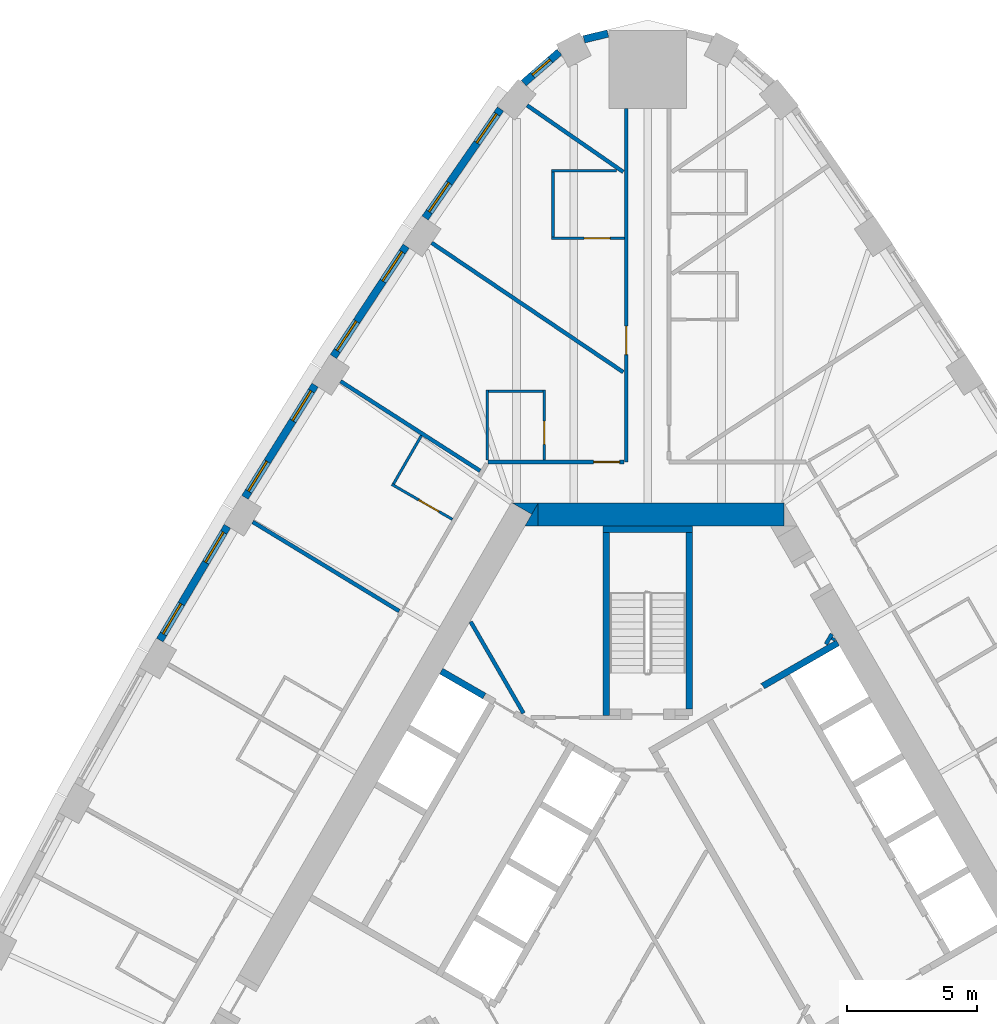
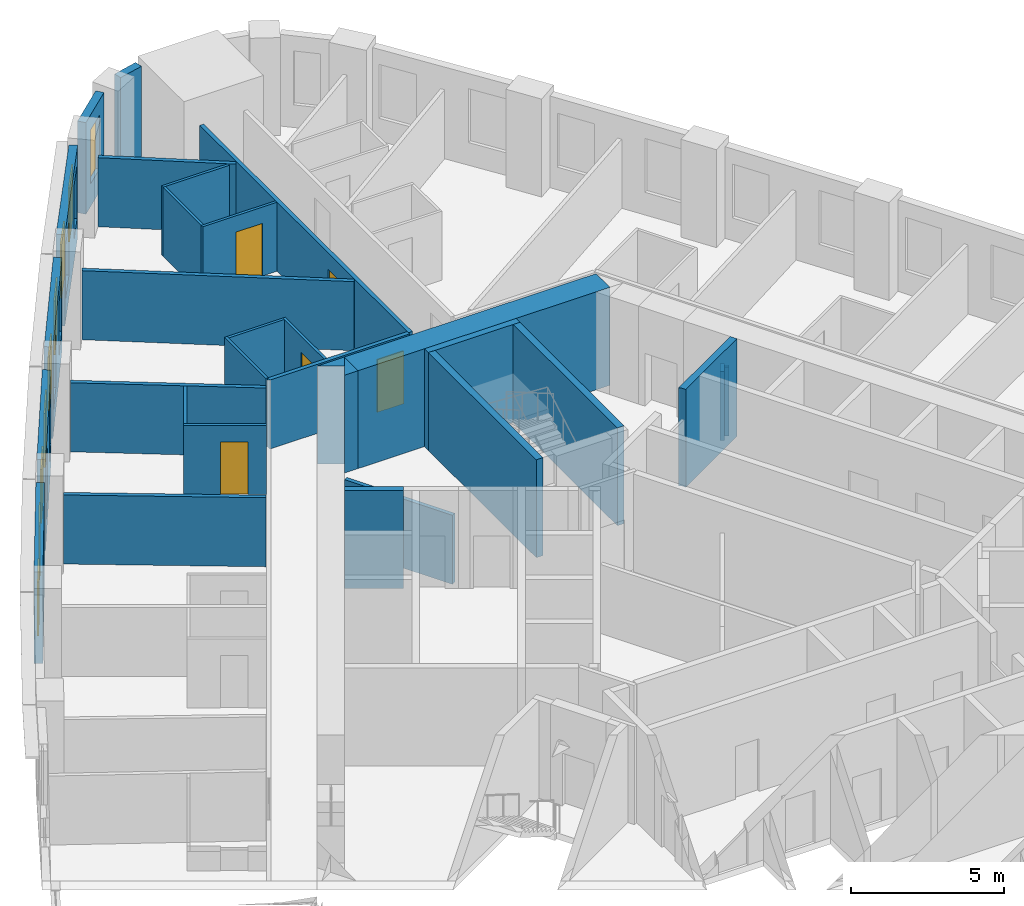
# One storey, part 10 of 13: 31 walls, 9 windows, 5 doors, 14 openings.
"""IFC4 building model written with IfcOpenShell, lengths in metres."""

from ifc_helpers import new_model, si_unit, direction, frame, frame_2d, origin, place, context, subcontext, project, spatial, polyline, rectangle, outline, extrude, material, layer, layer_set, type_object, element, fill, save


model = new_model("IFC4")

# Units and contexts
model_context = context("Model", 3, precision=1e-05, world=origin(), true_north=direction((0.0, 1.0)))
body_context = subcontext(model_context, "Body", "Model", "MODEL_VIEW")
ifc_project = project(units=[si_unit("LENGTHUNIT", "METRE"), si_unit("AREAUNIT", "SQUARE_METRE"), si_unit("VOLUMEUNIT", "CUBIC_METRE"), si_unit("PLANEANGLEUNIT", "RADIAN"), si_unit("MASSUNIT", "GRAM", prefix="KILO")], contexts=[model_context])

# Site, building, storey
site_placement = place(None, origin())
site = spatial("IfcSite", under=ifc_project, at=site_placement, CompositionType="ELEMENT")
building_placement = place(site_placement, origin())
building = spatial("IfcBuilding", under=site, at=building_placement, Name="Mestral Congress Tower", CompositionType="ELEMENT")
storey_placement = place(building_placement, frame((0.0, 0.0, 114.89990234375)))
storey = spatial("IfcBuildingStorey", under=building, at=storey_placement, Name="L27", CompositionType="ELEMENT", Elevation=114.89990234375)

# Walls
ifc_material_1 = material(Name="Fire-rated board partition")
ifc_layer_1 = layer(ifc_material_1, 0.14990234375)
ifc_layer_set_1 = layer_set([ifc_layer_1], Name="Fire-rated board partition")
wall_type_1 = type_object("IfcWallType", Name="Core partition 150", PredefinedType="PARTITIONING", material=ifc_layer_set_1)
wall_1_placement = place(storey_placement, frame((-6.8232421875, 12.318115234375, 0.0), z_axis=(0.0, 0.0, 1.0), x_axis=(0.500007885066, -0.866020851292, 0.0)))
element("IfcWall", 1, at=wall_1_placement, inside=storey, type_object=wall_type_1, Name="L27 core wall", PredefinedType="PARTITIONING", context=body_context, shape_type="SweptSolid", body=[
    extrude(rectangle(XDim=4.072265625, YDim=0.14990234375, at=frame_2d((2.0361328125, 0.0))), origin(), (0.0, 0.0, 1.0), 2.75),
])
wall_2_placement = place(storey_placement, frame((6.87158203125, 11.44970703125, 0.0), z_axis=(0.0, 0.0, 1.0), x_axis=(0.499846793097, 0.866113839764, 0.0)))
element("IfcWall", 2, at=wall_2_placement, inside=storey, type_object=wall_type_1, Name="L27 core wall", PredefinedType="PARTITIONING", context=body_context, shape_type="SweptSolid", body=[
    extrude(rectangle(XDim=0.453369140625, YDim=0.14990234375, at=frame_2d((0.2265625, 0.0))), origin(), (0.0, 0.0, 1.0), 2.75),
])
wall_3_placement = place(storey_placement, frame((7.13134765625, 11.599609375, 0.0), z_axis=(0.0, 0.0, 1.0), x_axis=(0.498600033135, 0.866832167699, 0.0)))
element("IfcWall", 3, at=wall_3_placement, inside=storey, type_object=wall_type_1, Name="L27 core wall", PredefinedType="PARTITIONING", context=body_context, shape_type="SweptSolid", body=[
    extrude(rectangle(XDim=0.106689453125, YDim=0.14990234375, at=frame_2d((0.05322265625, 0.0))), origin(), (0.0, 0.0, 1.0), 2.75),
])
ifc_material_2 = material(Name="Concrete C60/75", Category="concrete")
ifc_layer_2 = layer(ifc_material_2, 0.89990234375)
ifc_layer_set_2 = layer_set([ifc_layer_2], Name="Concrete C60/75")
wall_type_2 = type_object("IfcWallType", Name="Core wall RC 900", PredefinedType="SOLIDWALL", material=ifc_layer_set_2)
placement = place(storey_placement, origin())
element("IfcWall", 4, at=placement, inside=storey, type_object=wall_type_2, Name="L27 core wall", PredefinedType="SOLIDWALL", context=body_context, shape_type="SweptSolid", body=[
    extrude(outline(polyline([(-4.214599609375, 16.89990234375), (-4.46875, 16.460205078125), (-5.230712890625, 16.89990234375), (-4.214599609375, 16.89990234375)])), origin(), (0.0, 0.0, 1.0), 3.900146484375),
])
wall_5_placement = place(storey_placement, frame((-4.224365234375, 16.449951171875, 0.0), z_axis=(0.0, 0.0, 1.0), x_axis=(1.0, 0.0, 0.0)))
element("IfcWall", 5, at=wall_5_placement, inside=storey, type_object=wall_type_2, Name="L27 core wall", PredefinedType="SOLIDWALL", context=body_context, shape_type="SweptSolid", body=[
    extrude(rectangle(XDim=9.48779296875, YDim=0.89990234375, at=frame_2d((4.743896484375, 0.0))), origin(), (0.0, 0.0, 1.0), 3.900146484375),
])
element("IfcWall", 6, at=placement, inside=storey, type_object=wall_type_2, Name="L27 core wall", PredefinedType="SOLIDWALL", context=body_context, shape_type="SweptSolid", body=[
    extrude(outline(polyline([(-4.734375, 16.0), (-4.226318359375, 16.8798828125), (-4.226318359375, 16.0), (-4.734375, 16.0)])), origin(), (0.0, 0.0, 1.0), 3.900146484375),
])
ifc_material_3 = material(Name="Precast concrete C40/50 with limestone facing", Category="masonry")
ifc_layer_3 = layer(ifc_material_3, 0.2900390625)
ifc_layer_set_3 = layer_set([ifc_layer_3], Name="Precast concrete C40/50 with limestone facing")
wall_type_3 = type_object("IfcWallType", Name="Facade stone wall 290", PredefinedType="SOLIDWALL", material=ifc_layer_set_3)
wall_7_placement = place(storey_placement, frame((-1.53515625, 34.9892578125, 0.0), z_axis=(0.0, 0.0, 1.0), x_axis=(-0.971713991574, -0.236160789674, 0.0)))
element("IfcWall", 7, at=wall_7_placement, inside=storey, type_object=wall_type_3, Name="Facade wall K1-2", PredefinedType="SOLIDWALL", context=body_context, shape_type="SweptSolid", body=[
    extrude(rectangle(XDim=0.947021484375, YDim=0.2900390625, at=frame_2d((0.4736328125, 0.0))), origin(), (0.0, 0.0, 1.0), 3.650146484375),
])

# Wall, opening, window
wall_8_placement = place(storey_placement, frame((-3.404541015625, 34.275390625, 0.0), z_axis=(0.0, 0.0, 1.0), x_axis=(-0.754882764627, -0.655859749999, 0.0)))
wall_8 = element("IfcWall", 8, at=wall_8_placement, inside=storey, type_object=wall_type_3, Name="Facade wall K1-3", PredefinedType="SOLIDWALL", context=body_context, shape_type="SweptSolid", body=[
    extrude(rectangle(XDim=1.819580078125, YDim=0.2900390625, at=frame_2d((0.90966796875, 0.0))), origin(), (0.0, 0.0, 1.0), 3.650146484375),
])
opening_1_placement = place(wall_8_placement, frame((0.459716796875, 0.0, 0.89990234375)))
opening_1 = element("IfcOpeningElement", 9, at=opening_1_placement, cuts=wall_8, Name="Opening W3", PredefinedType="OPENING", context=body_context, shape_type="SweptSolid", body=[
    extrude(rectangle(XDim=0.89990234375, YDim=2.14990234375, at=frame_2d((0.449951171875, 1.074951171875))), frame((0.0, 0.155029296875, 0.0), z_axis=(0.0, -1.0, 0.0), x_axis=(1.0, 0.0, 0.0)), (0.0, 0.0, 1.0), 0.31005859375),
])
ifc_material_4 = material(Name="Clear low-emissivity double glazing", Category="glass")
window_type_1 = type_object("IfcWindowType", Name="Facade punched window 900 x 2150 sill 900", PartitioningType="SINGLE_PANEL", PredefinedType="WINDOW", material=ifc_material_4)
window_1_placement = place(opening_1_placement, origin())
window_1 = element("IfcWindow", 10, at=window_1_placement, inside=storey, type_object=window_type_1, Name="Window K1-3", OverallHeight=2.14990234375, OverallWidth=0.89990234375, PartitioningType="SINGLE_PANEL", PredefinedType="WINDOW", context=body_context, shape_type="SweptSolid", body=[
    extrude(rectangle(XDim=0.89990234375, YDim=2.14990234375, at=frame_2d((0.449951171875, 1.074951171875))), frame((0.0, 0.01513671875, 0.0), z_axis=(0.0, -1.0, 0.0), x_axis=(1.0, 0.0, 0.0)), (0.0, 0.0, 1.0), 0.06005859375),
])
fill(opening_1, window_1)

# Wall, openings, windows
wall_9_placement = place(storey_placement, frame((-5.67333984375, 32.0810546875, 0.0), z_axis=(0.0, 0.0, 1.0), x_axis=(-0.569113019126, -0.822259309136, 0.0)))
wall_9 = element("IfcWall", 11, at=wall_9_placement, inside=storey, type_object=wall_type_3, Name="Facade wall F2-00", PredefinedType="SOLIDWALL", context=body_context, shape_type="SweptSolid", body=[
    extrude(rectangle(XDim=5.106689453125, YDim=0.2900390625, at=frame_2d((2.55322265625, 0.0))), origin(), (0.0, 0.0, 1.0), 3.650146484375),
])
opening_2_placement = place(wall_9_placement, frame((0.240478515625, 0.0, 0.89990234375)))
opening_2 = element("IfcOpeningElement", 12, at=opening_2_placement, cuts=wall_9, Name="Opening W2", PredefinedType="OPENING", context=body_context, shape_type="SweptSolid", body=[
    extrude(rectangle(XDim=1.35009765625, YDim=2.14990234375, at=frame_2d((0.675048828125, 1.074951171875))), frame((0.0, 0.155029296875, 0.0), z_axis=(0.0, -1.0, 0.0), x_axis=(1.0, 0.0, 0.0)), (0.0, 0.0, 1.0), 0.31005859375),
])
opening_3_placement = place(wall_9_placement, frame((3.47119140625, 0.0, 0.89990234375)))
opening_3 = element("IfcOpeningElement", 13, at=opening_3_placement, cuts=wall_9, Name="Opening W2", PredefinedType="OPENING", context=body_context, shape_type="SweptSolid", body=[
    extrude(rectangle(XDim=1.35009765625, YDim=2.14990234375, at=frame_2d((0.675048828125, 1.074951171875))), frame((0.0, 0.155029296875, 0.0), z_axis=(0.0, -1.0, 0.0), x_axis=(1.0, 0.0, 0.0)), (0.0, 0.0, 1.0), 0.31005859375),
])
window_type_2 = type_object("IfcWindowType", Name="Facade punched window 1350 x 2150 sill 900", PartitioningType="DOUBLE_PANEL_VERTICAL", PredefinedType="WINDOW", material=ifc_material_4)
window_2_placement = place(opening_2_placement, origin())
window_2 = element("IfcWindow", 14, at=window_2_placement, inside=storey, type_object=window_type_2, Name="Window F2-00a", OverallHeight=2.14990234375, OverallWidth=1.35009765625, PartitioningType="DOUBLE_PANEL_VERTICAL", PredefinedType="WINDOW", context=body_context, shape_type="SweptSolid", body=[
    extrude(rectangle(XDim=1.35009765625, YDim=2.14990234375, at=frame_2d((0.675048828125, 1.074951171875))), frame((0.0, 0.01513671875, 0.0), z_axis=(0.0, -1.0, 0.0), x_axis=(1.0, 0.0, 0.0)), (0.0, 0.0, 1.0), 0.06005859375),
])
fill(opening_2, window_2)
window_3_placement = place(opening_3_placement, origin())
window_3 = element("IfcWindow", 15, at=window_3_placement, inside=storey, type_object=window_type_2, Name="Window F2-00b", OverallHeight=2.14990234375, OverallWidth=1.35009765625, PartitioningType="DOUBLE_PANEL_VERTICAL", PredefinedType="WINDOW", context=body_context, shape_type="SweptSolid", body=[
    extrude(rectangle(XDim=1.35009765625, YDim=2.14990234375, at=frame_2d((0.675048828125, 1.074951171875))), frame((0.0, 0.01513671875, 0.0), z_axis=(0.0, -1.0, 0.0), x_axis=(1.0, 0.0, 0.0)), (0.0, 0.0, 1.0), 0.06005859375),
])
fill(opening_3, window_3)

wall_10_placement = place(storey_placement, frame((-9.310791015625, 26.799072265625, 0.0), z_axis=(0.0, 0.0, 1.0), x_axis=(-0.549741341923, -0.835334937005, 0.0)))
wall_10 = element("IfcWall", 16, at=wall_10_placement, inside=storey, type_object=wall_type_3, Name="Facade wall F2-01", PredefinedType="SOLIDWALL", context=body_context, shape_type="SweptSolid", body=[
    extrude(rectangle(XDim=5.10009765625, YDim=0.2900390625, at=frame_2d((2.550048828125, 0.0))), origin(), (0.0, 0.0, 1.0), 3.650146484375),
])
opening_4_placement = place(wall_10_placement, frame((0.272705078125, 0.0, 0.89990234375)))
opening_4 = element("IfcOpeningElement", 17, at=opening_4_placement, cuts=wall_10, Name="Opening W2", PredefinedType="OPENING", context=body_context, shape_type="SweptSolid", body=[
    extrude(rectangle(XDim=1.35009765625, YDim=2.14990234375, at=frame_2d((0.675048828125, 1.074951171875))), frame((0.0, 0.155029296875, 0.0), z_axis=(0.0, -1.0, 0.0), x_axis=(1.0, 0.0, 0.0)), (0.0, 0.0, 1.0), 0.31005859375),
])
opening_5_placement = place(wall_10_placement, frame((3.477783203125, 0.0, 0.89990234375)))
opening_5 = element("IfcOpeningElement", 18, at=opening_5_placement, cuts=wall_10, Name="Opening W2", PredefinedType="OPENING", context=body_context, shape_type="SweptSolid", body=[
    extrude(rectangle(XDim=1.35009765625, YDim=2.14990234375, at=frame_2d((0.675048828125, 1.074951171875))), frame((0.0, 0.155029296875, 0.0), z_axis=(0.0, -1.0, 0.0), x_axis=(1.0, 0.0, 0.0)), (0.0, 0.0, 1.0), 0.31005859375),
])
window_4_placement = place(opening_4_placement, origin())
window_4 = element("IfcWindow", 19, at=window_4_placement, inside=storey, type_object=window_type_2, Name="Window F2-01a", OverallHeight=2.14990234375, OverallWidth=1.35009765625, PartitioningType="DOUBLE_PANEL_VERTICAL", PredefinedType="WINDOW", context=body_context, shape_type="SweptSolid", body=[
    extrude(rectangle(XDim=1.35009765625, YDim=2.14990234375, at=frame_2d((0.675048828125, 1.074951171875))), frame((0.0, 0.01513671875, 0.0), z_axis=(0.0, -1.0, 0.0), x_axis=(1.0, 0.0, 0.0)), (0.0, 0.0, 1.0), 0.06005859375),
])
fill(opening_4, window_4)
window_5_placement = place(opening_5_placement, origin())
window_5 = element("IfcWindow", 20, at=window_5_placement, inside=storey, type_object=window_type_2, Name="Window F2-01b", OverallHeight=2.14990234375, OverallWidth=1.35009765625, PartitioningType="DOUBLE_PANEL_VERTICAL", PredefinedType="WINDOW", context=body_context, shape_type="SweptSolid", body=[
    extrude(rectangle(XDim=1.35009765625, YDim=2.14990234375, at=frame_2d((0.675048828125, 1.074951171875))), frame((0.0, 0.01513671875, 0.0), z_axis=(0.0, -1.0, 0.0), x_axis=(1.0, 0.0, 0.0)), (0.0, 0.0, 1.0), 0.06005859375),
])
fill(opening_5, window_5)

wall_11_placement = place(storey_placement, frame((-12.820068359375, 21.43896484375, 0.0), z_axis=(0.0, 0.0, 1.0), x_axis=(-0.530072082134, -0.847952585787, 0.0)))
wall_11 = element("IfcWall", 21, at=wall_11_placement, inside=storey, type_object=wall_type_3, Name="Facade wall F2-02", PredefinedType="SOLIDWALL", context=body_context, shape_type="SweptSolid", body=[
    extrude(rectangle(XDim=5.100341796875, YDim=0.2900390625, at=frame_2d((2.55029296875, 0.0))), origin(), (0.0, 0.0, 1.0), 3.650146484375),
])
opening_6_placement = place(wall_11_placement, frame((0.272705078125, 0.0, 0.89990234375)))
opening_6 = element("IfcOpeningElement", 22, at=opening_6_placement, cuts=wall_11, Name="Opening W2", PredefinedType="OPENING", context=body_context, shape_type="SweptSolid", body=[
    extrude(rectangle(XDim=1.35009765625, YDim=2.14990234375, at=frame_2d((0.675048828125, 1.074951171875))), frame((0.0, 0.155029296875, 0.0), z_axis=(0.0, -1.0, 0.0), x_axis=(1.0, 0.0, 0.0)), (0.0, 0.0, 1.0), 0.31005859375),
])
opening_7_placement = place(wall_11_placement, frame((3.477783203125, 0.0, 0.89990234375)))
opening_7 = element("IfcOpeningElement", 23, at=opening_7_placement, cuts=wall_11, Name="Opening W2", PredefinedType="OPENING", context=body_context, shape_type="SweptSolid", body=[
    extrude(rectangle(XDim=1.35009765625, YDim=2.14990234375, at=frame_2d((0.675048828125, 1.074951171875))), frame((0.0, 0.155029296875, 0.0), z_axis=(0.0, -1.0, 0.0), x_axis=(1.0, 0.0, 0.0)), (0.0, 0.0, 1.0), 0.31005859375),
])
window_6_placement = place(opening_6_placement, origin())
window_6 = element("IfcWindow", 24, at=window_6_placement, inside=storey, type_object=window_type_2, Name="Window F2-02a", OverallHeight=2.14990234375, OverallWidth=1.35009765625, PartitioningType="DOUBLE_PANEL_VERTICAL", PredefinedType="WINDOW", context=body_context, shape_type="SweptSolid", body=[
    extrude(rectangle(XDim=1.35009765625, YDim=2.14990234375, at=frame_2d((0.675048828125, 1.074951171875))), frame((0.0, 0.01513671875, 0.0), z_axis=(0.0, -1.0, 0.0), x_axis=(1.0, 0.0, 0.0)), (0.0, 0.0, 1.0), 0.06005859375),
])
fill(opening_6, window_6)
window_7_placement = place(opening_7_placement, origin())
window_7 = element("IfcWindow", 25, at=window_7_placement, inside=storey, type_object=window_type_2, Name="Window F2-02b", OverallHeight=2.14990234375, OverallWidth=1.35009765625, PartitioningType="DOUBLE_PANEL_VERTICAL", PredefinedType="WINDOW", context=body_context, shape_type="SweptSolid", body=[
    extrude(rectangle(XDim=1.35009765625, YDim=2.14990234375, at=frame_2d((0.675048828125, 1.074951171875))), frame((0.0, 0.01513671875, 0.0), z_axis=(0.0, -1.0, 0.0), x_axis=(1.0, 0.0, 0.0)), (0.0, 0.0, 1.0), 0.06005859375),
])
fill(opening_7, window_7)

wall_12_placement = place(storey_placement, frame((-16.203125, 15.998291015625, 0.0), z_axis=(0.0, 0.0, 1.0), x_axis=(-0.510054281659, -0.860142214847, 0.0)))
wall_12 = element("IfcWall", 26, at=wall_12_placement, inside=storey, type_object=wall_type_3, Name="Facade wall F2-03", PredefinedType="SOLIDWALL", context=body_context, shape_type="SweptSolid", body=[
    extrude(rectangle(XDim=5.1005859375, YDim=0.2900390625, at=frame_2d((2.55029296875, 0.0))), origin(), (0.0, 0.0, 1.0), 3.650146484375),
])
opening_8_placement = place(wall_12_placement, frame((0.272705078125, 0.0, 0.89990234375)))
opening_8 = element("IfcOpeningElement", 27, at=opening_8_placement, cuts=wall_12, Name="Opening W2", PredefinedType="OPENING", context=body_context, shape_type="SweptSolid", body=[
    extrude(rectangle(XDim=1.35009765625, YDim=2.14990234375, at=frame_2d((0.675048828125, 1.074951171875))), frame((0.0, 0.155029296875, 0.0), z_axis=(0.0, -1.0, 0.0), x_axis=(1.0, 0.0, 0.0)), (0.0, 0.0, 1.0), 0.31005859375),
])
opening_9_placement = place(wall_12_placement, frame((3.477783203125, 0.0, 0.89990234375)))
opening_9 = element("IfcOpeningElement", 28, at=opening_9_placement, cuts=wall_12, Name="Opening W2", PredefinedType="OPENING", context=body_context, shape_type="SweptSolid", body=[
    extrude(rectangle(XDim=1.35009765625, YDim=2.14990234375, at=frame_2d((0.675048828125, 1.074951171875))), frame((0.0, 0.155029296875, 0.0), z_axis=(0.0, -1.0, 0.0), x_axis=(1.0, 0.0, 0.0)), (0.0, 0.0, 1.0), 0.31005859375),
])
window_8_placement = place(opening_8_placement, origin())
window_8 = element("IfcWindow", 29, at=window_8_placement, inside=storey, type_object=window_type_2, Name="Window F2-03a", OverallHeight=2.14990234375, OverallWidth=1.35009765625, PartitioningType="DOUBLE_PANEL_VERTICAL", PredefinedType="WINDOW", context=body_context, shape_type="SweptSolid", body=[
    extrude(rectangle(XDim=1.35009765625, YDim=2.14990234375, at=frame_2d((0.675048828125, 1.074951171875))), frame((0.0, 0.01513671875, 0.0), z_axis=(0.0, -1.0, 0.0), x_axis=(1.0, 0.0, 0.0)), (0.0, 0.0, 1.0), 0.06005859375),
])
fill(opening_8, window_8)
window_9_placement = place(opening_9_placement, origin())
window_9 = element("IfcWindow", 30, at=window_9_placement, inside=storey, type_object=window_type_2, Name="Window F2-03b", OverallHeight=2.14990234375, OverallWidth=1.35009765625, PartitioningType="DOUBLE_PANEL_VERTICAL", PredefinedType="WINDOW", context=body_context, shape_type="SweptSolid", body=[
    extrude(rectangle(XDim=1.35009765625, YDim=2.14990234375, at=frame_2d((0.675048828125, 1.074951171875))), frame((0.0, 0.01513671875, 0.0), z_axis=(0.0, -1.0, 0.0), x_axis=(1.0, 0.0, 0.0)), (0.0, 0.0, 1.0), 0.06005859375),
])
fill(opening_9, window_9)

# Wall, opening, door
ifc_material_5 = material(Name="Gypsum board partition on metal studs with mineral wool", Category="composite")
ifc_layer_4 = layer(ifc_material_5, 0.10009765625)
ifc_layer_set_4 = layer_set([ifc_layer_4], Name="Gypsum board partition on metal studs with mineral wool")
wall_type_4 = type_object("IfcWallType", Name="Hotel partition wall 100", PredefinedType="PARTITIONING", material=ifc_layer_set_4)
wall_13_placement = place(storey_placement, frame((-3.699951171875, 27.097900390625, 0.0), z_axis=(0.0, 0.0, 1.0), x_axis=(1.0, 0.0, 0.0)))
wall_13 = element("IfcWall", 31, at=wall_13_placement, inside=storey, type_object=wall_type_4, Name="L27-h-pod17a", PredefinedType="PARTITIONING", context=body_context, shape_type="SweptSolid", body=[
    extrude(rectangle(XDim=2.800048828125, YDim=0.10009765625, at=frame_2d((1.39990234375, 0.0))), origin(), (0.0, 0.0, 1.0), 2.75),
])
opening_10_placement = place(wall_13_placement, frame((1.25, 0.0, 0.0)))
opening_10 = element("IfcOpeningElement", 32, at=opening_10_placement, cuts=wall_13, Name="Opening H08-030", PredefinedType="OPENING", context=body_context, shape_type="SweptSolid", body=[
    extrude(rectangle(XDim=1.0, YDim=2.10009765625, at=frame_2d((0.5, 1.050048828125))), frame((0.0, 0.06005859375, 0.0), z_axis=(0.0, -1.0, 0.0), x_axis=(1.0, 0.0, 0.0)), (0.0, 0.0, 1.0), 0.1201171875),
])
ifc_material_6 = material(Name="Timber veneer door leaf in timber frame", Category="wood")
door_type_1 = type_object("IfcDoorType", Name="Accessible bathroom door 1000", OperationType="SINGLE_SWING_LEFT", PredefinedType="DOOR", material=ifc_material_6)
door_1_placement = place(opening_10_placement, origin())
door_1 = element("IfcDoor", 33, at=door_1_placement, inside=storey, type_object=door_type_1, Name="L27-h-d030", OperationType="SINGLE_SWING_LEFT", OverallHeight=2.10009765625, OverallWidth=1.0, PredefinedType="DOOR", context=body_context, shape_type="SweptSolid", body=[
    extrude(rectangle(XDim=1.0, YDim=2.10009765625, at=frame_2d((0.5, 1.050048828125))), frame((0.0, 0.02490234375, 0.0), z_axis=(0.0, -1.0, 0.0), x_axis=(1.0, 0.0, 0.0)), (0.0, 0.0, 1.0), 0.050048828125),
])
fill(opening_10, door_1)

# Walls
for number, where, z_axis, x_axis, name in (
    (34, (-3.64990234375, 27.14794921875, 0.0), (0.0, 0.0, 1.0), (0.0, 1.0, 0.0), "L27-h-pod17b"),
    (35, (-1.199951171875, 29.697998046875, 0.0), (0.0, 0.0, 1.0), (-1.0, 0.0, 0.0), "L27-h-pod17c"),
):
    element("IfcWall", number, at=place(storey_placement, frame(where, z_axis=z_axis, x_axis=x_axis)), inside=storey, type_object=wall_type_4, Name=name, PredefinedType="PARTITIONING", context=body_context, shape_type="SweptSolid", body=[
        extrude(rectangle(XDim=2.5, YDim=0.10009765625, at=frame_2d((1.25, 0.0))), origin(), (0.0, 0.0, 1.0), 2.75),
    ])

# Wall, opening, door
wall_14_placement = place(storey_placement, frame((-3.983154296875, 18.550048828125, 0.0), z_axis=(0.0, 0.0, 1.0), x_axis=(0.0, 1.0, 0.0)))
wall_14 = element("IfcWall", 36, at=wall_14_placement, inside=storey, type_object=wall_type_4, Name="L27-h-pod18a", PredefinedType="PARTITIONING", context=body_context, shape_type="SweptSolid", body=[
    extrude(rectangle(XDim=2.699951171875, YDim=0.10009765625, at=frame_2d((1.35009765625, 0.0))), origin(), (0.0, 0.0, 1.0), 2.75),
])
opening_11_placement = place(wall_14_placement, frame((0.60009765625, 0.0, 0.0)))
opening_11 = element("IfcOpeningElement", 37, at=opening_11_placement, cuts=wall_14, Name="Opening H08-032", PredefinedType="OPENING", context=body_context, shape_type="SweptSolid", body=[
    extrude(rectangle(XDim=0.89990234375, YDim=2.10009765625, at=frame_2d((0.449951171875, 1.050048828125))), frame((0.0, 0.06005859375, 0.0), z_axis=(0.0, -1.0, 0.0), x_axis=(1.0, 0.0, 0.0)), (0.0, 0.0, 1.0), 0.1201171875),
])
door_type_2 = type_object("IfcDoorType", Name="Bathroom door 900", OperationType="SINGLE_SWING_LEFT", PredefinedType="DOOR", material=ifc_material_6)
door_2_placement = place(opening_11_placement, origin())
door_2 = element("IfcDoor", 38, at=door_2_placement, inside=storey, type_object=door_type_2, Name="L27-h-d032", OperationType="SINGLE_SWING_RIGHT", OverallHeight=2.10009765625, OverallWidth=0.89990234375, PredefinedType="DOOR", context=body_context, shape_type="SweptSolid", body=[
    extrude(rectangle(XDim=0.89990234375, YDim=2.10009765625, at=frame_2d((0.449951171875, 1.050048828125))), frame((0.0, 0.02490234375, 0.0), z_axis=(0.0, -1.0, 0.0), x_axis=(1.0, 0.0, 0.0)), (0.0, 0.0, 1.0), 0.050048828125),
])
fill(opening_11, door_2)

# Walls
wall_15_placement = place(storey_placement, frame((-4.033203125, 21.199951171875, 0.0), z_axis=(0.0, 0.0, 1.0), x_axis=(-1.0, 0.0, 0.0)))
element("IfcWall", 39, at=wall_15_placement, inside=storey, type_object=wall_type_4, Name="L27-h-pod18b", PredefinedType="PARTITIONING", context=body_context, shape_type="SweptSolid", body=[
    extrude(rectangle(XDim=2.10009765625, YDim=0.10009765625, at=frame_2d((1.050048828125, 0.0))), origin(), (0.0, 0.0, 1.0), 2.75),
])
wall_16_placement = place(storey_placement, frame((-6.18310546875, 18.550048828125, 0.0), z_axis=(0.0, 0.0, 1.0), x_axis=(0.0, 1.0, 0.0)))
element("IfcWall", 40, at=wall_16_placement, inside=storey, type_object=wall_type_4, Name="L27-h-pod18c", PredefinedType="PARTITIONING", context=body_context, shape_type="SweptSolid", body=[
    extrude(rectangle(XDim=2.699951171875, YDim=0.10009765625, at=frame_2d((1.35009765625, 0.0))), origin(), (0.0, 0.0, 1.0), 2.75),
])

# Wall, opening, door
wall_17_placement = place(storey_placement, frame((-9.8642578125, 17.614501953125, 0.0), z_axis=(0.0, 0.0, 1.0), x_axis=(0.866019956843, -0.50000943426, 0.0)))
wall_17 = element("IfcWall", 41, at=wall_17_placement, inside=storey, type_object=wall_type_4, Name="L27-h-pod19a", PredefinedType="PARTITIONING", context=body_context, shape_type="SweptSolid", body=[
    extrude(rectangle(XDim=2.7001953125, YDim=0.10009765625, at=frame_2d((1.35009765625, 0.0))), origin(), (0.0, 0.0, 1.0), 2.75),
])
opening_12_placement = place(wall_17_placement, frame((1.199951171875, 0.0, 0.0)))
opening_12 = element("IfcOpeningElement", 42, at=opening_12_placement, cuts=wall_17, Name="Opening H08-034", PredefinedType="OPENING", context=body_context, shape_type="SweptSolid", body=[
    extrude(rectangle(XDim=0.89990234375, YDim=2.10009765625, at=frame_2d((0.449951171875, 1.050048828125))), frame((0.0, 0.06005859375, 0.0), z_axis=(0.0, -1.0, 0.0), x_axis=(1.0, 0.0, 0.0)), (0.0, 0.0, 1.0), 0.1201171875),
])
door_3_placement = place(opening_12_placement, origin())
door_3 = element("IfcDoor", 43, at=door_3_placement, inside=storey, type_object=door_type_2, Name="L27-h-d034", OperationType="SINGLE_SWING_LEFT", OverallHeight=2.10009765625, OverallWidth=0.89990234375, PredefinedType="DOOR", context=body_context, shape_type="SweptSolid", body=[
    extrude(rectangle(XDim=0.89990234375, YDim=2.10009765625, at=frame_2d((0.449951171875, 1.050048828125))), frame((0.0, 0.02490234375, 0.0), z_axis=(0.0, -1.0, 0.0), x_axis=(1.0, 0.0, 0.0)), (0.0, 0.0, 1.0), 0.050048828125),
])
fill(opening_12, door_3)

# Wall
wall_18_placement = place(storey_placement, frame((-9.7958984375, 17.6328125, 0.0), z_axis=(0.0, 0.0, 1.0), x_axis=(0.499961633463, 0.866047553582, 0.0)))
element("IfcWall", 44, at=wall_18_placement, inside=storey, type_object=wall_type_4, Name="L27-h-pod19b", PredefinedType="PARTITIONING", context=body_context, shape_type="SweptSolid", body=[
    extrude(rectangle(XDim=2.150146484375, YDim=0.10009765625, at=frame_2d((1.0751953125, 0.0))), origin(), (0.0, 0.0, 1.0), 2.75),
])

# Wall, opening, door
ifc_layer_5 = layer(ifc_material_5, 0.14990234375)
ifc_layer_set_5 = layer_set([ifc_layer_5], Name="Gypsum board partition on metal studs with mineral wool")
wall_type_5 = type_object("IfcWallType", Name="Hotel partition wall 150", PredefinedType="PARTITIONING", material=ifc_layer_set_5)
wall_19_placement = place(storey_placement, frame((-0.824951171875, 18.47509765625, 0.0), z_axis=(0.0, 0.0, 1.0), x_axis=(0.0, 1.0, 0.0)))
wall_19 = element("IfcWall", 45, at=wall_19_placement, inside=storey, type_object=wall_type_5, Name="L27-h-cw06", PredefinedType="PARTITIONING", context=body_context, shape_type="SweptSolid", body=[
    extrude(rectangle(XDim=13.623291015625, YDim=0.14990234375, at=frame_2d((6.8115234375, 0.0))), origin(), (0.0, 0.0, 1.0), 2.75),
])
opening_13_placement = place(wall_19_placement, frame((4.13525390625, 0.0, 0.0)))
opening_13 = element("IfcOpeningElement", 46, at=opening_13_placement, cuts=wall_19, Name="Opening H08-029", PredefinedType="OPENING", context=body_context, shape_type="SweptSolid", body=[
    extrude(rectangle(XDim=1.10009765625, YDim=2.10009765625, at=frame_2d((0.550048828125, 1.050048828125))), frame((0.0, 0.0849609375, 0.0), z_axis=(0.0, -1.0, 0.0), x_axis=(1.0, 0.0, 0.0)), (0.0, 0.0, 1.0), 0.169921875),
])
ifc_material_7 = material(Name="Timber veneer door leaf in metal frame", Category="wood")
door_type_3 = type_object("IfcDoorType", Name="Accessible room entrance door 1100", OperationType="SINGLE_SWING_LEFT", PredefinedType="DOOR", material=ifc_material_7)
door_4_placement = place(opening_13_placement, origin())
door_4 = element("IfcDoor", 47, at=door_4_placement, inside=storey, type_object=door_type_3, Name="L27-h-d029", OperationType="SINGLE_SWING_LEFT", OverallHeight=2.10009765625, OverallWidth=1.10009765625, PredefinedType="DOOR", context=body_context, shape_type="SweptSolid", body=[
    extrude(rectangle(XDim=1.10009765625, YDim=2.10009765625, at=frame_2d((0.550048828125, 1.050048828125))), frame((0.0, 0.02490234375, 0.0), z_axis=(0.0, -1.0, 0.0), x_axis=(1.0, 0.0, 0.0)), (0.0, 0.0, 1.0), 0.050048828125),
])
fill(opening_13, door_4)

wall_20_placement = place(storey_placement, frame((-6.1630859375, 18.47509765625, 0.0), z_axis=(0.0, 0.0, 1.0), x_axis=(1.0, 0.0, 0.0)))
wall_20 = element("IfcWall", 48, at=wall_20_placement, inside=storey, type_object=wall_type_5, Name="L27-h-cw07", PredefinedType="PARTITIONING", context=body_context, shape_type="SweptSolid", body=[
    extrude(rectangle(XDim=5.258056640625, YDim=0.14990234375, at=frame_2d((2.62890625, 0.0))), origin(), (0.0, 0.0, 1.0), 2.75),
])
opening_14_placement = place(wall_20_placement, frame((4.078125, 0.0, 0.0)))
opening_14 = element("IfcOpeningElement", 49, at=opening_14_placement, cuts=wall_20, Name="Opening H08-031", PredefinedType="OPENING", context=body_context, shape_type="SweptSolid", body=[
    extrude(rectangle(XDim=1.0, YDim=2.10009765625, at=frame_2d((0.5, 1.050048828125))), frame((0.0, 0.0849609375, 0.0), z_axis=(0.0, -1.0, 0.0), x_axis=(1.0, 0.0, 0.0)), (0.0, 0.0, 1.0), 0.169921875),
])
door_type_4 = type_object("IfcDoorType", Name="Guest room entrance door 1000", OperationType="SINGLE_SWING_LEFT", PredefinedType="DOOR", material=ifc_material_7)
door_5_placement = place(opening_14_placement, origin())
door_5 = element("IfcDoor", 50, at=door_5_placement, inside=storey, type_object=door_type_4, Name="L27-h-d031", OperationType="SINGLE_SWING_RIGHT", OverallHeight=2.10009765625, OverallWidth=1.0, PredefinedType="DOOR", context=body_context, shape_type="SweptSolid", body=[
    extrude(rectangle(XDim=1.0, YDim=2.10009765625, at=frame_2d((0.5, 1.050048828125))), frame((0.0, 0.02490234375, 0.0), z_axis=(0.0, -1.0, 0.0), x_axis=(1.0, 0.0, 0.0)), (0.0, 0.0, 1.0), 0.050048828125),
])
fill(opening_14, door_5)

# Walls
wall_21_placement = place(storey_placement, frame((-15.22509765625, 16.16748046875, 0.0), z_axis=(0.0, 0.0, 1.0), x_axis=(0.854088713274, -0.520127359266, 0.0)))
element("IfcWall", 51, at=wall_21_placement, inside=storey, type_object=wall_type_5, Name="L27-h-pw08", PredefinedType="PARTITIONING", context=body_context, shape_type="SweptSolid", body=[
    extrude(rectangle(XDim=6.61083984375, YDim=0.14990234375, at=frame_2d((3.305419921875, 0.0))), origin(), (0.0, 0.0, 1.0), 2.75),
])
wall_22_placement = place(storey_placement, frame((-11.838134765625, 21.585205078125, 0.0), z_axis=(0.0, 0.0, 1.0), x_axis=(0.841699322813, -0.539946525108, 0.0)))
element("IfcWall", 52, at=wall_22_placement, inside=storey, type_object=wall_type_5, Name="L27-h-pw09", PredefinedType="PARTITIONING", context=body_context, shape_type="SweptSolid", body=[
    extrude(rectangle(XDim=6.3916015625, YDim=0.14990234375, at=frame_2d((3.19580078125, 0.0))), origin(), (0.0, 0.0, 1.0), 2.75),
])
wall_23_placement = place(storey_placement, frame((-8.32568359375, 26.922607421875, 0.0), z_axis=(0.0, 0.0, 1.0), x_axis=(0.828836601893, -0.5594907393, 0.0)))
element("IfcWall", 53, at=wall_23_placement, inside=storey, type_object=wall_type_5, Name="L27-h-pw11", PredefinedType="PARTITIONING", context=body_context, shape_type="SweptSolid", body=[
    extrude(rectangle(XDim=8.9091796875, YDim=0.14990234375, at=frame_2d((4.45458984375, 0.0))), origin(), (0.0, 0.0, 1.0), 2.75),
])
wall_24_placement = place(storey_placement, frame((-4.649169921875, 32.223388671875, 0.0), z_axis=(0.0, 0.0, 1.0), x_axis=(0.822262349475, -0.569108626394, 0.0)))
element("IfcWall", 54, at=wall_24_placement, inside=storey, type_object=wall_type_5, Name="L27-h-pw12", PredefinedType="PARTITIONING", context=body_context, shape_type="SweptSolid", body=[
    extrude(rectangle(XDim=4.509521484375, YDim=0.14990234375, at=frame_2d((2.2548828125, 0.0))), origin(), (0.0, 0.0, 1.0), 2.75),
])
ifc_layer_6 = layer(ifc_material_2, 0.25)
ifc_layer_set_6 = layer_set([ifc_layer_6], Name="Concrete C60/75")
wall_type_6 = type_object("IfcWallType", Name="Shaft wall RC 250", PredefinedType="SOLIDWALL", material=ifc_layer_set_6)
element("IfcWall", 55, at=placement, inside=storey, type_object=wall_type_6, Name="L27 core wall", PredefinedType="SOLIDWALL", context=body_context, shape_type="SweptSolid", body=[
    extrude(outline(polyline([(5.26953125, 10.172607421875), (5.26953125, 10.172607421875), (4.68310546875, 9.833984375), (4.50439453125, 9.73095703125), (4.44189453125, 9.839111328125), (4.431396484375, 9.855712890625), (4.419189453125, 9.87109375), (4.405517578125, 9.885009765625), (4.390380859375, 9.897705078125), (4.374267578125, 9.908935546875), (4.357177734375, 9.91845703125), (4.34130859375, 9.92529296875), (7.266357421875, 11.6142578125), (7.391357421875, 11.397705078125), (5.486083984375, 10.2978515625), (5.486083984375, 10.2978515625), (5.26953125, 10.1728515625), (5.26953125, 10.172607421875)])), origin(), (0.0, 0.0, 1.0), 3.900146484375),
])
wall_26_placement = place(storey_placement, frame((-6.29638671875, 9.454833984375, 0.0), z_axis=(0.0, 0.0, 1.0), x_axis=(-0.866011930837, 0.500023335103, 0.0)))
element("IfcWall", 56, at=wall_26_placement, inside=storey, type_object=wall_type_6, Name="L27 core wall", PredefinedType="SOLIDWALL", context=body_context, shape_type="SweptSolid", body=[
    extrude(rectangle(XDim=1.919921875, YDim=0.25, at=frame_2d((0.9599609375, 0.0))), origin(), (0.0, 0.0, 1.0), 3.900146484375),
])
ifc_layer_7 = layer(ifc_material_2, 0.25)
ifc_layer_set_7 = layer_set([ifc_layer_7], Name="Concrete C60/75")
wall_type_7 = type_object("IfcWallType", Name="Stair wall RC 250", PredefinedType="SOLIDWALL", material=ifc_layer_set_7)
wall_27_placement = place(storey_placement, frame((-1.72509765625, 15.875, 0.0), z_axis=(0.0, 0.0, 1.0), x_axis=(1.0, 0.0, 0.0)))
element("IfcWall", 57, at=wall_27_placement, inside=storey, type_object=wall_type_7, Name="L27 core wall", PredefinedType="SOLIDWALL", context=body_context, shape_type="SweptSolid", body=[
    extrude(rectangle(XDim=3.4501953125, YDim=0.25, at=frame_2d((1.72509765625, 0.0))), origin(), (0.0, 0.0, 1.0), 3.900146484375),
])
wall_28_placement = place(storey_placement, frame((1.60009765625, 8.949951171875, 0.0), z_axis=(0.0, 0.0, 1.0), x_axis=(0.0, 1.0, 0.0)))
element("IfcWall", 58, at=wall_28_placement, inside=storey, type_object=wall_type_7, Name="L27 core wall", PredefinedType="SOLIDWALL", context=body_context, shape_type="SweptSolid", body=[
    extrude(rectangle(XDim=6.800048828125, YDim=0.25, at=frame_2d((3.39990234375, 0.0))), origin(), (0.0, 0.0, 1.0), 3.900146484375),
])
wall_29_placement = place(storey_placement, frame((-1.60009765625, 8.699951171875, 0.0), z_axis=(0.0, 0.0, 1.0), x_axis=(0.0, 1.0, 0.0)))
element("IfcWall", 59, at=wall_29_placement, inside=storey, type_object=wall_type_7, Name="L27 core wall", PredefinedType="SOLIDWALL", context=body_context, shape_type="SweptSolid", body=[
    extrude(rectangle(XDim=7.050048828125, YDim=0.25, at=frame_2d((3.52490234375, 0.0))), origin(), (0.0, 0.0, 1.0), 3.900146484375),
])

save(model, "model.ifc")
